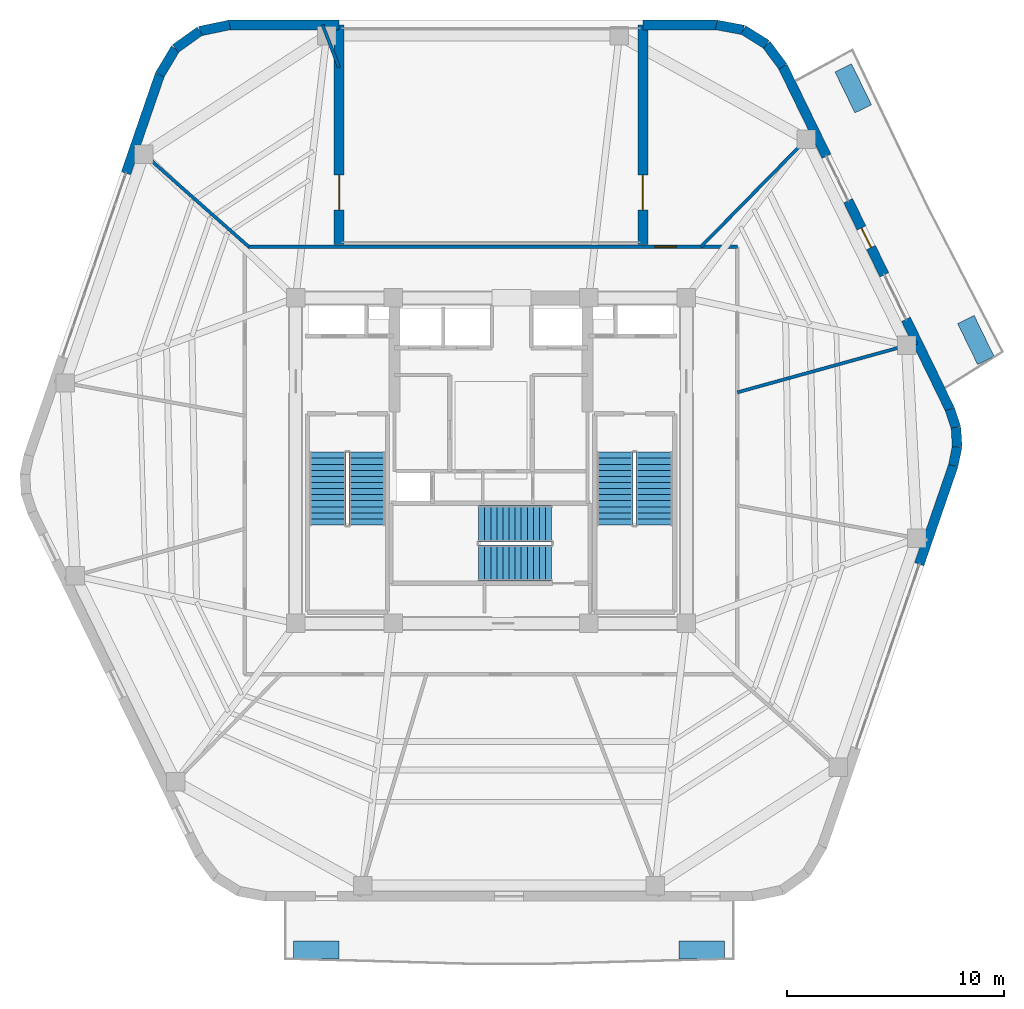
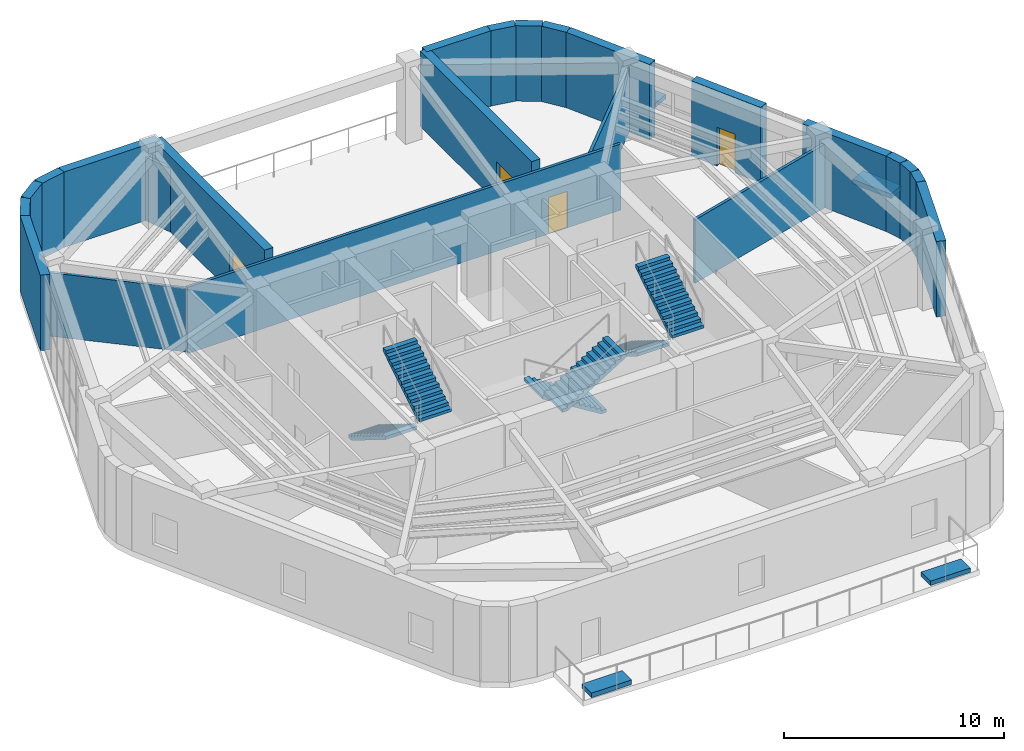
# One storey, part 13 of 15: 23 walls, 6 stair flights, 4 discrete accessories, 4 doors, 4 openings, 3 elements without a shape of their own.
"""IFC4 building model written with IfcOpenShell, lengths in metres."""

from ifc_helpers import new_model, si_unit, direction, frame, frame_2d, origin, origin_2d, place, context, subcontext, project, spatial, polyline, rectangle, outline, extrude, material, layer, layer_set, type_object, element, fill, aggregate, save


model = new_model("IFC4")

# Units and contexts
model_context = context("Model", 3, precision=1e-05, world=origin(), true_north=direction((0.0, 1.0)))
body_context = subcontext(model_context, "Body", "Model", "MODEL_VIEW")
ifc_project = project(units=[si_unit("LENGTHUNIT", "METRE"), si_unit("AREAUNIT", "SQUARE_METRE"), si_unit("VOLUMEUNIT", "CUBIC_METRE"), si_unit("PLANEANGLEUNIT", "RADIAN"), si_unit("MASSUNIT", "GRAM", prefix="KILO")], contexts=[model_context])

# Site, building, storey
site_placement = place(None, origin())
site = spatial("IfcSite", under=ifc_project, at=site_placement, CompositionType="ELEMENT")
building_placement = place(site_placement, origin())
building = spatial("IfcBuilding", under=site, at=building_placement, Name="Kilnhurst Terrace Hotel", CompositionType="ELEMENT")
storey_placement = place(building_placement, frame((0.0, 0.0, 288.60009765625)))
storey = spatial("IfcBuildingStorey", under=building, at=storey_placement, Name="L72", CompositionType="ELEMENT", Elevation=288.60009765625)

# Walls
ifc_material_1 = material(Name="Precast concrete C40/50", Category="concrete")
ifc_layer_1 = layer(ifc_material_1, 0.449951171875, Name="Precast concrete C40/50")
ifc_layer_set_1 = layer_set([ifc_layer_1], Name="Precast concrete C40/50")
wall_type_1 = type_object("IfcWallType", Name="WL-BRK-450", PredefinedType="SOLIDWALL", material=ifc_layer_set_1)
wall_1_placement = place(storey_placement, frame((21.297607421875, -0.2333984375, 0.0), z_axis=(0.0, 0.0, 1.0), x_axis=(0.199158176661, 0.979967356941, 0.0)))
element("IfcWall", 1, at=wall_1_placement, inside=storey, type_object=wall_type_1, Name="L72 Rounded Corner Brick Wall C3.1", PredefinedType="SOLIDWALL", context=body_context, shape_type="SweptSolid", body=[
    extrude(rectangle(XDim=0.894775390625, YDim=0.449951171875, at=frame_2d((0.447265625, 0.0))), origin(), (0.0, 0.0, 1.0), 4.179931640625),
])
wall_2_placement = place(storey_placement, frame((21.475830078125, 0.6435546875, 0.0), z_axis=(0.0, 0.0, 1.0), x_axis=(-0.061031097918, 0.998135865044, 0.0)))
element("IfcWall", 2, at=wall_2_placement, inside=storey, type_object=wall_type_1, Name="L72 Rounded Corner Brick Wall C3.2", PredefinedType="SOLIDWALL", context=body_context, shape_type="SweptSolid", body=[
    extrude(rectangle(XDim=0.880126953125, YDim=0.449951171875, at=frame_2d((0.43994140625, 0.0))), origin(), (0.0, 0.0, 1.0), 4.179931640625),
])
wall_3_placement = place(storey_placement, frame((21.422119140625, 1.52197265625, 0.0), z_axis=(0.0, 0.0, 1.0), x_axis=(-0.316964162323, 0.94843751497, 0.0)))
element("IfcWall", 3, at=wall_3_placement, inside=storey, type_object=wall_type_1, Name="L72 Rounded Corner Brick Wall C3.3", PredefinedType="SOLIDWALL", context=body_context, shape_type="SweptSolid", body=[
    extrude(rectangle(XDim=0.89501953125, YDim=0.449951171875, at=frame_2d((0.447509765625, 0.0))), origin(), (0.0, 0.0, 1.0), 4.179931640625),
])
wall_4_placement = place(storey_placement, frame((13.44287109375, 18.159912109375, 0.0), z_axis=(0.0, 0.0, 1.0), x_axis=(-0.597042425808, 0.802209661987, 0.0)))
element("IfcWall", 4, at=wall_4_placement, inside=storey, type_object=wall_type_1, Name="L72 Rounded Corner Brick Wall C4.1", PredefinedType="SOLIDWALL", context=body_context, shape_type="SweptSolid", body=[
    extrude(rectangle(XDim=1.269775390625, YDim=0.449951171875, at=frame_2d((0.634765625, 0.0))), origin(), (0.0, 0.0, 1.0), 4.179931640625),
])
wall_5_placement = place(storey_placement, frame((12.684814453125, 19.178466796875, 0.0), z_axis=(0.0, 0.0, 1.0), x_axis=(-0.848031272749, 0.529946186362, 0.0)))
element("IfcWall", 5, at=wall_5_placement, inside=storey, type_object=wall_type_1, Name="L72 Rounded Corner Brick Wall C4.2", PredefinedType="SOLIDWALL", context=body_context, shape_type="SweptSolid", body=[
    extrude(rectangle(XDim=1.248046875, YDim=0.449951171875, at=frame_2d((0.6240234375, 0.0))), origin(), (0.0, 0.0, 1.0), 4.179931640625),
])
wall_6_placement = place(storey_placement, frame((11.62646484375, 19.83984375, 0.0), z_axis=(0.0, 0.0, 1.0), x_axis=(-0.982701956681, 0.185194126083, 0.0)))
element("IfcWall", 6, at=wall_6_placement, inside=storey, type_object=wall_type_1, Name="L72 Rounded Corner Brick Wall C4.3", PredefinedType="SOLIDWALL", context=body_context, shape_type="SweptSolid", body=[
    extrude(rectangle(XDim=1.26953125, YDim=0.449951171875, at=frame_2d((0.634765625, 0.0))), origin(), (0.0, 0.0, 1.0), 4.179931640625),
])
wall_7_placement = place(storey_placement, frame((-12.038330078125, 20.074951171875, 0.0), z_axis=(0.0, 0.0, 1.0), x_axis=(-0.978750122553, -0.205056571711, 0.0)))
element("IfcWall", 7, at=wall_7_placement, inside=storey, type_object=wall_type_1, Name="L72 Rounded Corner Brick Wall C5.1", PredefinedType="SOLIDWALL", context=body_context, shape_type="SweptSolid", body=[
    extrude(rectangle(XDim=1.406005859375, YDim=0.449951171875, at=frame_2d((0.703125, 0.0))), origin(), (0.0, 0.0, 1.0), 4.179931640625),
])
wall_8_placement = place(storey_placement, frame((-13.41455078125, 19.78662109375, 0.0), z_axis=(0.0, 0.0, 1.0), x_axis=(-0.814055493997, -0.580787097561, 0.0)))
element("IfcWall", 8, at=wall_8_placement, inside=storey, type_object=wall_type_1, Name="L72 Rounded Corner Brick Wall C5.2", PredefinedType="SOLIDWALL", context=body_context, shape_type="SweptSolid", body=[
    extrude(rectangle(XDim=1.382568359375, YDim=0.449951171875, at=frame_2d((0.69140625, 0.0))), origin(), (0.0, 0.0, 1.0), 4.179931640625),
])
wall_9_placement = place(storey_placement, frame((-14.5400390625, 18.983642578125, 0.0), z_axis=(0.0, 0.0, 1.0), x_axis=(-0.512374906623, -0.858761873317, 0.0)))
element("IfcWall", 9, at=wall_9_placement, inside=storey, type_object=wall_type_1, Name="L72 Rounded Corner Brick Wall C5.3", PredefinedType="SOLIDWALL", context=body_context, shape_type="SweptSolid", body=[
    extrude(rectangle(XDim=1.406005859375, YDim=0.449951171875, at=frame_2d((0.703125, 0.0))), origin(), (0.0, 0.0, 1.0), 4.179931640625),
])
wall_10_placement = place(storey_placement, frame((19.734375, -4.775390625, 0.0), z_axis=(0.0, 0.0, 1.0), x_axis=(0.325437701015, 0.945563484256, 0.0)))
element("IfcWall", 10, at=wall_10_placement, inside=storey, type_object=wall_type_1, Name="L72 Face 2 End Brick Pier", PredefinedType="SOLIDWALL", context=body_context, shape_type="SweptSolid", body=[
    extrude(rectangle(XDim=4.803466796875, YDim=0.449951171875, at=frame_2d((2.40185546875, 0.0))), origin(), (0.0, 0.0, 1.0), 4.179931640625),
])
wall_11_placement = place(storey_placement, frame((21.138427734375, 2.370849609375, 0.0), z_axis=(0.0, 0.0, 1.0), x_axis=(-0.438135313339, 0.898909031663, 0.0)))
element("IfcWall", 11, at=wall_11_placement, inside=storey, type_object=wall_type_1, Name="L72 Face 3 Brick Pier 1", PredefinedType="SOLIDWALL", context=body_context, shape_type="SweptSolid", body=[
    extrude(rectangle(XDim=4.60498046875, YDim=0.449951171875, at=frame_2d((2.302490234375, 0.0))), origin(), (0.0, 0.0, 1.0), 4.179931640625),
])

# Wall, opening, door
wall_12_placement = place(storey_placement, frame((18.121826171875, 8.559814453125, 0.0), z_axis=(0.0, 0.0, 1.0), x_axis=(-0.438118536586, 0.89891720859, 0.0)))
wall_12 = element("IfcWall", 12, at=wall_12_placement, inside=storey, type_object=wall_type_1, Name="L72 Face 3 Brick Pier 2", PredefinedType="SOLIDWALL", context=body_context, shape_type="SweptSolid", body=[
    extrude(rectangle(XDim=3.7998046875, YDim=0.449951171875, at=frame_2d((1.89990234375, 0.0))), origin(), (0.0, 0.0, 1.0), 4.179931640625),
])
opening_1_placement = place(wall_12_placement, frame((1.39990234375, 0.0, 0.0)))
opening_1 = element("IfcOpeningElement", 13, at=opening_1_placement, cuts=wall_12, Name="Opening BD-1000", PredefinedType="OPENING", context=body_context, shape_type="SweptSolid", body=[
    extrude(rectangle(XDim=1.0, YDim=2.14990234375, at=frame_2d((0.5, 1.074951171875))), frame((0.0, 0.23486328125, 0.0), z_axis=(0.0, -1.0, 0.0), x_axis=(1.0, 0.0, 0.0)), (0.0, 0.0, 1.0), 0.469970703125),
])
ifc_material_2 = material(Name="Thermally Broken Bronze Aluminium Alloy 6063-T6 and Laminated Glass", Category="aluminium")
door_type_1 = type_object("IfcDoorType", Name="DR-EXT-BAL-1000", OperationType="NOTDEFINED", PredefinedType="DOOR", material=ifc_material_2)
door_1_placement = place(opening_1_placement, origin())
door_1 = element("IfcDoor", 14, at=door_1_placement, inside=storey, type_object=door_type_1, Name="L72 Terrace Access Door BAL-L2A", OperationType="SINGLE_SWING_LEFT", OverallHeight=2.14990234375, OverallWidth=1.0, PredefinedType="DOOR", context=body_context, shape_type="SweptSolid", body=[
    extrude(rectangle(XDim=1.0, YDim=2.14990234375, at=frame_2d((0.5, 1.074951171875))), frame((0.0, 0.02490234375, 0.0), z_axis=(0.0, -1.0, 0.0), x_axis=(1.0, 0.0, 0.0)), (0.0, 0.0, 1.0), 0.050048828125),
])
fill(opening_1, door_1)

# Walls
wall_13_placement = place(storey_placement, frame((15.45751953125, 14.026123046875, 0.0), z_axis=(0.0, 0.0, 1.0), x_axis=(-0.438101439155, 0.898925541416, 0.0)))
element("IfcWall", 15, at=wall_13_placement, inside=storey, type_object=wall_type_1, Name="L72 Face 3 End Brick Pier", PredefinedType="SOLIDWALL", context=body_context, shape_type="SweptSolid", body=[
    extrude(rectangle(XDim=4.5986328125, YDim=0.449951171875, at=frame_2d((2.29931640625, 0.0))), origin(), (0.0, 0.0, 1.0), 4.179931640625),
])
wall_14_placement = place(storey_placement, frame((10.37890625, 20.074951171875, 0.0), z_axis=(0.0, 0.0, 1.0), x_axis=(-1.0, 0.0, 0.0)))
element("IfcWall", 16, at=wall_14_placement, inside=storey, type_object=wall_type_1, Name="L72 North Portal East Brick Pier", PredefinedType="SOLIDWALL", context=body_context, shape_type="SweptSolid", body=[
    extrude(rectangle(XDim=3.37890625, YDim=0.449951171875, at=frame_2d((1.689453125, 0.0))), origin(), (0.0, 0.0, 1.0), 4.179931640625),
])
wall_15_placement = place(storey_placement, frame((-7.0, 20.074951171875, 0.0), z_axis=(0.0, 0.0, 1.0), x_axis=(-1.0, 0.0, 0.0)))
element("IfcWall", 17, at=wall_15_placement, inside=storey, type_object=wall_type_1, Name="L72 North Portal West Brick Pier", PredefinedType="SOLIDWALL", context=body_context, shape_type="SweptSolid", body=[
    extrude(rectangle(XDim=5.038330078125, YDim=0.449951171875, at=frame_2d((2.51904296875, 0.0))), origin(), (0.0, 0.0, 1.0), 4.179931640625),
])

# Wall, opening, door
wall_16_placement = place(storey_placement, frame((-7.0, 9.949951171875, 0.0), z_axis=(0.0, 0.0, 1.0), x_axis=(0.0, 1.0, 0.0)))
wall_16 = element("IfcWall", 18, at=wall_16_placement, inside=storey, type_object=wall_type_1, Name="L72 Wind Portal West Brick Cheek Wall", PredefinedType="SOLIDWALL", context=body_context, shape_type="SweptSolid", body=[
    extrude(rectangle(XDim=10.125, YDim=0.449951171875, at=frame_2d((5.0625, 0.0))), origin(), (0.0, 0.0, 1.0), 4.179931640625),
])
opening_2_placement = place(wall_16_placement, frame((1.60009765625, 0.0, 0.0)))
opening_2 = element("IfcOpeningElement", 19, at=opening_2_placement, cuts=wall_16, Name="Opening TD-1600", PredefinedType="OPENING", context=body_context, shape_type="SweptSolid", body=[
    extrude(rectangle(XDim=1.60009765625, YDim=2.25, at=frame_2d((0.800048828125, 1.125))), frame((0.0, 0.23486328125, 0.0), z_axis=(0.0, -1.0, 0.0), x_axis=(1.0, 0.0, 0.0)), (0.0, 0.0, 1.0), 0.469970703125),
])
door_type_2 = type_object("IfcDoorType", Name="DR-EXT-TERR-1600", OperationType="NOTDEFINED", PredefinedType="DOOR", material=ifc_material_2)
door_2_placement = place(opening_2_placement, origin())
door_2 = element("IfcDoor", 20, at=door_2_placement, inside=storey, type_object=door_type_2, Name="L72 Wind Portal West Promenade Door", OperationType="DOUBLE_SWING_LEFT", OverallHeight=2.25, OverallWidth=1.60009765625, PredefinedType="DOOR", context=body_context, shape_type="SweptSolid", body=[
    extrude(rectangle(XDim=1.60009765625, YDim=2.25, at=frame_2d((0.800048828125, 1.125))), frame((0.0, 0.02490234375, 0.0), z_axis=(0.0, -1.0, 0.0), x_axis=(1.0, 0.0, 0.0)), (0.0, 0.0, 1.0), 0.050048828125),
])
fill(opening_2, door_2)

wall_17_placement = place(storey_placement, frame((7.0, 9.949951171875, 0.0), z_axis=(0.0, 0.0, 1.0), x_axis=(0.0, 1.0, 0.0)))
wall_17 = element("IfcWall", 21, at=wall_17_placement, inside=storey, type_object=wall_type_1, Name="L72 Wind Portal East Brick Cheek Wall", PredefinedType="SOLIDWALL", context=body_context, shape_type="SweptSolid", body=[
    extrude(rectangle(XDim=10.125, YDim=0.449951171875, at=frame_2d((5.0625, 0.0))), origin(), (0.0, 0.0, 1.0), 4.179931640625),
])
opening_3_placement = place(wall_17_placement, frame((1.60009765625, 0.0, 0.0)))
opening_3 = element("IfcOpeningElement", 22, at=opening_3_placement, cuts=wall_17, Name="Opening TD-1600", PredefinedType="OPENING", context=body_context, shape_type="SweptSolid", body=[
    extrude(rectangle(XDim=1.60009765625, YDim=2.25, at=frame_2d((0.800048828125, 1.125))), frame((0.0, 0.23486328125, 0.0), z_axis=(0.0, -1.0, 0.0), x_axis=(1.0, 0.0, 0.0)), (0.0, 0.0, 1.0), 0.469970703125),
])
door_3_placement = place(opening_3_placement, origin())
door_3 = element("IfcDoor", 23, at=door_3_placement, inside=storey, type_object=door_type_2, Name="L72 Wind Portal East Promenade Door", OperationType="DOUBLE_SWING_LEFT", OverallHeight=2.25, OverallWidth=1.60009765625, PredefinedType="DOOR", context=body_context, shape_type="SweptSolid", body=[
    extrude(rectangle(XDim=1.60009765625, YDim=2.25, at=frame_2d((0.800048828125, 1.125))), frame((0.0, 0.02490234375, 0.0), z_axis=(0.0, -1.0, 0.0), x_axis=(1.0, 0.0, 0.0)), (0.0, 0.0, 1.0), 0.050048828125),
])
fill(opening_3, door_3)

# Wall
wall_18_placement = place(storey_placement, frame((-15.260498046875, 17.776123046875, 0.0), z_axis=(0.0, 0.0, 1.0), x_axis=(-0.325408461582, -0.945573547182, 0.0)))
element("IfcWall", 24, at=wall_18_placement, inside=storey, type_object=wall_type_1, Name="L72 Face 5 Brick Pier 1", PredefinedType="SOLIDWALL", context=body_context, shape_type="SweptSolid", body=[
    extrude(rectangle(XDim=4.794921875, YDim=0.449951171875, at=frame_2d((2.3974609375, 0.0))), origin(), (0.0, 0.0, 1.0), 4.179931640625),
])

# Wall, opening, door
ifc_material_3 = material(Name="Acoustic Double-Gypsum Corridor Partition Assembly")
ifc_layer_2 = layer(ifc_material_3, 0.14990234375, Name="Acoustic Double-Gypsum Corridor Partition Assembly")
ifc_layer_set_2 = layer_set([ifc_layer_2], Name="Acoustic Double-Gypsum Corridor Partition Assembly")
wall_type_2 = type_object("IfcWallType", Name="WL-COR-150", PredefinedType="PARTITIONING", material=ifc_layer_set_2)
wall_19_placement = place(storey_placement, frame((-11.35009765625, 9.85009765625, 0.0), z_axis=(0.0, 0.0, 1.0), x_axis=(1.0, 0.0, 0.0)))
wall_19 = element("IfcWall", 25, at=wall_19_placement, inside=storey, type_object=wall_type_2, Name="L72 Interior Wall WL-L72-COR-01", PredefinedType="PARTITIONING", context=body_context, shape_type="SweptSolid", body=[
    extrude(rectangle(XDim=22.7001953125, YDim=0.14990234375, at=frame_2d((11.35009765625, 0.0))), origin(), (0.0, 0.0, 1.0), 3.669921875),
])
opening_4_placement = place(wall_19_placement, frame((18.89599609375, 0.0, 0.0)))
opening_4 = element("IfcOpeningElement", 26, at=opening_4_placement, cuts=wall_19, Name="Opening D-10A", PredefinedType="OPENING", context=body_context, shape_type="SweptSolid", body=[
    extrude(rectangle(XDim=1.0, YDim=2.030029296875, at=frame_2d((0.5, 1.01513671875))), frame((0.0, 0.0849609375, 0.0), z_axis=(0.0, -1.0, 0.0), x_axis=(1.0, 0.0, 0.0)), (0.0, 0.0, 1.0), 0.169921875),
])
ifc_material_4 = material(Name="Solid-Core American White Oak Interior Door")
door_type_3 = type_object("IfcDoorType", Name="DR-INT-1000", OperationType="NOTDEFINED", PredefinedType="DOOR", material=ifc_material_4)
door_4_placement = place(opening_4_placement, origin())
door_4 = element("IfcDoor", 27, at=door_4_placement, inside=storey, type_object=door_type_3, Name="L72 East Wind Portal Viewing Gallery Center Wing Door", OperationType="SINGLE_SWING_RIGHT", OverallHeight=2.030029296875, OverallWidth=1.0, PredefinedType="DOOR", context=body_context, shape_type="SweptSolid", body=[
    extrude(rectangle(XDim=1.0, YDim=2.030029296875, at=frame_2d((0.5, 1.01513671875))), frame((0.0, 0.02490234375, 0.0), z_axis=(0.0, -1.0, 0.0), x_axis=(1.0, 0.0, 0.0)), (0.0, 0.0, 1.0), 0.050048828125),
])
fill(opening_4, door_4)

# Walls
ifc_material_5 = material(Name="150 mm Acoustic Gypsum Hospitality Partition")
ifc_layer_3 = layer(ifc_material_5, 0.14990234375, Name="150 mm Acoustic Gypsum Hospitality Partition")
ifc_layer_set_3 = layer_set([ifc_layer_3], Name="150 mm Acoustic Gypsum Hospitality Partition")
wall_type_3 = type_object("IfcWallType", Name="WL-PART-150", PredefinedType="PARTITIONING", material=ifc_layer_set_3)
wall_20_placement = place(storey_placement, frame((11.35009765625, 3.142822265625, 0.0), z_axis=(0.0, 0.0, 1.0), x_axis=(0.963731818141, 0.266872596386, 0.0)))
element("IfcWall", 28, at=wall_20_placement, inside=storey, type_object=wall_type_3, Name="L72 Interior Wall WL-L72-SCOL-01-1", PredefinedType="PARTITIONING", context=body_context, shape_type="SweptSolid", body=[
    extrude(rectangle(XDim=8.604736328125, YDim=0.14990234375, at=frame_2d((4.30224609375, 0.0))), origin(), (0.0, 0.0, 1.0), 3.52001953125),
])
wall_21_placement = place(storey_placement, frame((9.67236328125, 9.85009765625, 0.0), z_axis=(0.0, 0.0, 1.0), x_axis=(0.700629771301, 0.713524998558, 0.0)))
element("IfcWall", 29, at=wall_21_placement, inside=storey, type_object=wall_type_3, Name="L72 Interior Wall WL-L72-SCOL-02-1", PredefinedType="PARTITIONING", context=body_context, shape_type="SweptSolid", body=[
    extrude(rectangle(XDim=7.45947265625, YDim=0.14990234375, at=frame_2d((3.729736328125, 0.0))), origin(), (0.0, 0.0, 1.0), 3.52001953125),
])
wall_22_placement = place(storey_placement, frame((-7.0, 18.108154296875, 0.0), z_axis=(0.0, 0.0, 1.0), x_axis=(-0.360646535801, 0.932702565781, 0.0)))
element("IfcWall", 30, at=wall_22_placement, inside=storey, type_object=wall_type_3, Name="L72 Interior Wall WL-L72-SCOL-04-1", PredefinedType="PARTITIONING", context=body_context, shape_type="SweptSolid", body=[
    extrude(rectangle(XDim=2.108642578125, YDim=0.14990234375, at=frame_2d((1.05419921875, 0.0))), origin(), (0.0, 0.0, 1.0), 3.52001953125),
])
wall_23_placement = place(storey_placement, frame((-11.1572265625, 9.85009765625, 0.0), z_axis=(0.0, 0.0, 1.0), x_axis=(-0.74966962095, 0.661812253909, 0.0)))
element("IfcWall", 31, at=wall_23_placement, inside=storey, type_object=wall_type_3, Name="L72 Interior Wall WL-L72-SCOL-05-1", PredefinedType="PARTITIONING", context=body_context, shape_type="SweptSolid", body=[
    extrude(rectangle(XDim=6.98876953125, YDim=0.14990234375, at=frame_2d((3.494384765625, 0.0))), origin(), (0.0, 0.0, 1.0), 3.52001953125),
])

# Stair, stair flights
ifc_material_6 = material(Name="Concrete C50/60", Category="concrete")
stair_type = type_object("IfcStairType", Name="STR-CORE-1660", PredefinedType="HALF_TURN_STAIR", material=ifc_material_6)
stair_1_placement = place(storey_placement, origin())
stair_1 = element("IfcStair", 32, at=stair_1_placement, inside=storey, type_object=stair_type, Name="L72 ST-1", PredefinedType="HALF_TURN_STAIR")
stair_flight_type = type_object("IfcStairFlightType", Name="FLT-RC-1660", PredefinedType="STRAIGHT", material=ifc_material_6)
stair_flight_1_placement = place(storey_placement, frame((-7.52001953125, 0.389892578125, 0.0), z_axis=(0.0, 0.0, 1.0), x_axis=(0.0, -1.0, 0.0)))
stair_flight_1 = element("IfcStairFlight", 33, at=stair_flight_1_placement, type_object=stair_flight_type, Name="ST-1 flight 1", NumberOfRisers=13, NumberOfTreads=12, PredefinedType="STRAIGHT", RiserHeight=0.173076923, TreadLength=0.28, context=body_context, shape_type="SweptSolid", body=[
    extrude(outline(polyline([(0.0, 0.0), (0.0, 0.173095703125), (0.280029296875, 0.173095703125), (0.280029296875, 0.34619140625), (0.56005859375, 0.34619140625), (0.56005859375, 0.519287109375), (0.840087890625, 0.519287109375), (0.840087890625, 0.6923828125), (1.1201171875, 0.6923828125), (1.1201171875, 0.865478515625), (1.39990234375, 0.865478515625), (1.39990234375, 1.03857421875), (1.679931640625, 1.03857421875), (1.679931640625, 1.21142578125), (1.9599609375, 1.21142578125), (1.9599609375, 1.384521484375), (2.239990234375, 1.384521484375), (2.239990234375, 1.5576171875), (2.52001953125, 1.5576171875), (2.52001953125, 1.730712890625), (2.800048828125, 1.730712890625), (2.800048828125, 1.90380859375), (3.080078125, 1.90380859375), (3.080078125, 2.076904296875), (3.360107421875, 2.076904296875), (3.360107421875, 2.25), (3.360107421875, 1.900634765625), (0.28515625, 0.0), (0.0, 0.0)])), frame((0.0, 0.830078125, 0.0), z_axis=(0.0, -1.0, 0.0), x_axis=(1.0, 0.0, 0.0)), (0.0, 0.0, 1.0), 1.659912109375),
])
stair_flight_2_placement = place(storey_placement, frame((-5.7099609375, -2.969970703125, 2.25), z_axis=(0.0, 0.0, 1.0), x_axis=(0.0, 1.0, 0.0)))
stair_flight_2 = element("IfcStairFlight", 34, at=stair_flight_2_placement, type_object=stair_flight_type, Name="ST-1 flight 2", NumberOfRisers=13, NumberOfTreads=12, PredefinedType="STRAIGHT", RiserHeight=0.173076923, TreadLength=0.28, context=body_context, shape_type="SweptSolid", body=[
    extrude(outline(polyline([(0.0, 0.0), (0.0, 0.173095703125), (0.280029296875, 0.173095703125), (0.280029296875, 0.34619140625), (0.56005859375, 0.34619140625), (0.56005859375, 0.519287109375), (0.840087890625, 0.519287109375), (0.840087890625, 0.6923828125), (1.1201171875, 0.6923828125), (1.1201171875, 0.865478515625), (1.39990234375, 0.865478515625), (1.39990234375, 1.03857421875), (1.679931640625, 1.03857421875), (1.679931640625, 1.21142578125), (1.9599609375, 1.21142578125), (1.9599609375, 1.384521484375), (2.239990234375, 1.384521484375), (2.239990234375, 1.5576171875), (2.52001953125, 1.5576171875), (2.52001953125, 1.730712890625), (2.800048828125, 1.730712890625), (2.800048828125, 1.90380859375), (3.080078125, 1.90380859375), (3.080078125, 2.076904296875), (3.360107421875, 2.076904296875), (3.360107421875, 2.25), (3.360107421875, 1.900634765625), (0.28515625, 0.0), (0.0, 0.0)])), frame((0.0, 0.830078125, 0.0), z_axis=(0.0, -1.0, 0.0), x_axis=(1.0, 0.0, 0.0)), (0.0, 0.0, 1.0), 1.659912109375),
])
aggregate(stair_1, [stair_flight_1, stair_flight_2])

stair_2_placement = place(storey_placement, origin())
stair_2 = element("IfcStair", 35, at=stair_2_placement, inside=storey, type_object=stair_type, Name="L72 ST-2", PredefinedType="HALF_TURN_STAIR")
stair_flight_3_placement = place(storey_placement, frame((5.7099609375, 0.389892578125, 0.0), z_axis=(0.0, 0.0, 1.0), x_axis=(0.0, -1.0, 0.0)))
stair_flight_3 = element("IfcStairFlight", 36, at=stair_flight_3_placement, type_object=stair_flight_type, Name="ST-2 flight 1", NumberOfRisers=13, NumberOfTreads=12, PredefinedType="STRAIGHT", RiserHeight=0.173076923, TreadLength=0.28, context=body_context, shape_type="SweptSolid", body=[
    extrude(outline(polyline([(0.0, 0.0), (0.0, 0.173095703125), (0.280029296875, 0.173095703125), (0.280029296875, 0.34619140625), (0.56005859375, 0.34619140625), (0.56005859375, 0.519287109375), (0.840087890625, 0.519287109375), (0.840087890625, 0.6923828125), (1.1201171875, 0.6923828125), (1.1201171875, 0.865478515625), (1.39990234375, 0.865478515625), (1.39990234375, 1.03857421875), (1.679931640625, 1.03857421875), (1.679931640625, 1.21142578125), (1.9599609375, 1.21142578125), (1.9599609375, 1.384521484375), (2.239990234375, 1.384521484375), (2.239990234375, 1.5576171875), (2.52001953125, 1.5576171875), (2.52001953125, 1.730712890625), (2.800048828125, 1.730712890625), (2.800048828125, 1.90380859375), (3.080078125, 1.90380859375), (3.080078125, 2.076904296875), (3.360107421875, 2.076904296875), (3.360107421875, 2.25), (3.360107421875, 1.900634765625), (0.28515625, 0.0), (0.0, 0.0)])), frame((0.0, 0.830078125, 0.0), z_axis=(0.0, -1.0, 0.0), x_axis=(1.0, 0.0, 0.0)), (0.0, 0.0, 1.0), 1.659912109375),
])
stair_flight_4_placement = place(storey_placement, frame((7.52001953125, -2.969970703125, 2.25), z_axis=(0.0, 0.0, 1.0), x_axis=(0.0, 1.0, 0.0)))
stair_flight_4 = element("IfcStairFlight", 37, at=stair_flight_4_placement, type_object=stair_flight_type, Name="ST-2 flight 2", NumberOfRisers=13, NumberOfTreads=12, PredefinedType="STRAIGHT", RiserHeight=0.173076923, TreadLength=0.28, context=body_context, shape_type="SweptSolid", body=[
    extrude(outline(polyline([(0.0, 0.0), (0.0, 0.173095703125), (0.280029296875, 0.173095703125), (0.280029296875, 0.34619140625), (0.56005859375, 0.34619140625), (0.56005859375, 0.519287109375), (0.840087890625, 0.519287109375), (0.840087890625, 0.6923828125), (1.1201171875, 0.6923828125), (1.1201171875, 0.865478515625), (1.39990234375, 0.865478515625), (1.39990234375, 1.03857421875), (1.679931640625, 1.03857421875), (1.679931640625, 1.21142578125), (1.9599609375, 1.21142578125), (1.9599609375, 1.384521484375), (2.239990234375, 1.384521484375), (2.239990234375, 1.5576171875), (2.52001953125, 1.5576171875), (2.52001953125, 1.730712890625), (2.800048828125, 1.730712890625), (2.800048828125, 1.90380859375), (3.080078125, 1.90380859375), (3.080078125, 2.076904296875), (3.360107421875, 2.076904296875), (3.360107421875, 2.25), (3.360107421875, 1.900634765625), (0.28515625, 0.0), (0.0, 0.0)])), frame((0.0, 0.830078125, 0.0), z_axis=(0.0, -1.0, 0.0), x_axis=(1.0, 0.0, 0.0)), (0.0, 0.0, 1.0), 1.659912109375),
])
aggregate(stair_2, [stair_flight_3, stair_flight_4])

stair_3_placement = place(storey_placement, origin())
stair_3 = element("IfcStair", 38, at=stair_3_placement, inside=storey, type_object=stair_type, Name="L72 ST-3", PredefinedType="HALF_TURN_STAIR")
stair_flight_5_placement = place(storey_placement, frame((2.7900390625, -2.909912109375, 0.0), z_axis=(0.0, 0.0, 1.0), x_axis=(-1.0, 0.0, 0.0)))
stair_flight_5 = element("IfcStairFlight", 39, at=stair_flight_5_placement, type_object=stair_flight_type, Name="ST-3 flight 1", NumberOfRisers=13, NumberOfTreads=12, PredefinedType="STRAIGHT", RiserHeight=0.173076923, TreadLength=0.28, context=body_context, shape_type="SweptSolid", body=[
    extrude(outline(polyline([(0.0, 0.0), (0.0, 0.173095703125), (0.280029296875, 0.173095703125), (0.280029296875, 0.34619140625), (0.56005859375, 0.34619140625), (0.56005859375, 0.519287109375), (0.840087890625, 0.519287109375), (0.840087890625, 0.6923828125), (1.1201171875, 0.6923828125), (1.1201171875, 0.865478515625), (1.39990234375, 0.865478515625), (1.39990234375, 1.03857421875), (1.679931640625, 1.03857421875), (1.679931640625, 1.21142578125), (1.9599609375, 1.21142578125), (1.9599609375, 1.384521484375), (2.239990234375, 1.384521484375), (2.239990234375, 1.5576171875), (2.52001953125, 1.5576171875), (2.52001953125, 1.730712890625), (2.800048828125, 1.730712890625), (2.800048828125, 1.90380859375), (3.080078125, 1.90380859375), (3.080078125, 2.076904296875), (3.360107421875, 2.076904296875), (3.360107421875, 2.25), (3.360107421875, 1.900634765625), (0.28515625, 0.0), (0.0, 0.0)])), frame((0.0, 0.830078125, 0.0), z_axis=(0.0, -1.0, 0.0), x_axis=(1.0, 0.0, 0.0)), (0.0, 0.0, 1.0), 1.659912109375),
])
stair_flight_6_placement = place(storey_placement, frame((-0.570068359375, -4.719970703125, 2.25), z_axis=(0.0, 0.0, 1.0), x_axis=(1.0, 0.0, 0.0)))
stair_flight_6 = element("IfcStairFlight", 40, at=stair_flight_6_placement, type_object=stair_flight_type, Name="ST-3 flight 2", NumberOfRisers=13, NumberOfTreads=12, PredefinedType="STRAIGHT", RiserHeight=0.173076923, TreadLength=0.28, context=body_context, shape_type="SweptSolid", body=[
    extrude(outline(polyline([(0.0, 0.0), (0.0, 0.173095703125), (0.280029296875, 0.173095703125), (0.280029296875, 0.34619140625), (0.56005859375, 0.34619140625), (0.56005859375, 0.519287109375), (0.840087890625, 0.519287109375), (0.840087890625, 0.6923828125), (1.1201171875, 0.6923828125), (1.1201171875, 0.865478515625), (1.39990234375, 0.865478515625), (1.39990234375, 1.03857421875), (1.679931640625, 1.03857421875), (1.679931640625, 1.21142578125), (1.9599609375, 1.21142578125), (1.9599609375, 1.384521484375), (2.239990234375, 1.384521484375), (2.239990234375, 1.5576171875), (2.52001953125, 1.5576171875), (2.52001953125, 1.730712890625), (2.800048828125, 1.730712890625), (2.800048828125, 1.90380859375), (3.080078125, 1.90380859375), (3.080078125, 2.076904296875), (3.360107421875, 2.076904296875), (3.360107421875, 2.25), (3.360107421875, 1.900634765625), (0.28515625, 0.0), (0.0, 0.0)])), frame((0.0, 0.830078125, 0.0), z_axis=(0.0, -1.0, 0.0), x_axis=(1.0, 0.0, 0.0)), (0.0, 0.0, 1.0), 1.659912109375),
])
aggregate(stair_3, [stair_flight_5, stair_flight_6])

# Discrete accessories
ifc_material_7 = material(Name="Precast Concrete C40/50 Shrub Planter", Category="concrete")
discrete_accessory_type_1 = type_object("IfcDiscreteAccessoryType", Name="PLN-SHRUB-240", PredefinedType="USERDEFINED", material=ifc_material_7)
for number, where, z_axis, x_axis, name in (
    (41, (9.711669921875, -22.550048828125, 0.0), (0.0, 0.0, 1.0), (1.0, 0.0, 0.0), "L72 Structural Tree Planter Box PLANTER BAL-L1A.2"),
    (42, (16.68798828125, 17.150634765625, 0.0), (0.0, 0.0, 1.0), (-0.438135828038, 0.898908780795, 0.0), "L72 Structural Tree Planter Box PLANTER BAL-L2A.2"),
):
    element("IfcDiscreteAccessory", number, at=place(storey_placement, frame(where, z_axis=z_axis, x_axis=x_axis)), inside=storey, type_object=discrete_accessory_type_1, Name=name, ObjectType="PLANTER", PredefinedType="USERDEFINED", context=body_context, shape_type="SweptSolid", body=[
        extrude(rectangle(XDim=2.10009765625, YDim=0.85009765625, at=origin_2d()), origin(), (0.0, 0.0, 1.0), 0.239990234375),
    ])
ifc_material_8 = material(Name="Precast Concrete C40/50 Tree Planter", Category="concrete")
discrete_accessory_type_2 = type_object("IfcDiscreteAccessoryType", Name="PLN-TREE-260", PredefinedType="USERDEFINED", material=ifc_material_8)
for number, where, z_axis, x_axis, name in (
    (43, (-8.0498046875, -22.550048828125, 0.0), (0.0, 0.0, 1.0), (1.0, 0.0, 0.0), "L72 Structural Tree Planter Box PLANTER BAL-L1A.1"),
    (44, (22.340087890625, 5.55419921875, 0.0), (0.0, 0.0, 1.0), (-0.438135828038, 0.898908780795, 0.0), "L72 Structural Tree Planter Box PLANTER BAL-L2A.1"),
):
    element("IfcDiscreteAccessory", number, at=place(storey_placement, frame(where, z_axis=z_axis, x_axis=x_axis)), inside=storey, type_object=discrete_accessory_type_2, Name=name, ObjectType="PLANTER", PredefinedType="USERDEFINED", context=body_context, shape_type="SweptSolid", body=[
        extrude(rectangle(XDim=2.10009765625, YDim=0.85009765625, at=origin_2d()), origin(), (0.0, 0.0, 1.0), 0.260009765625),
    ])

save(model, "model.ifc")
